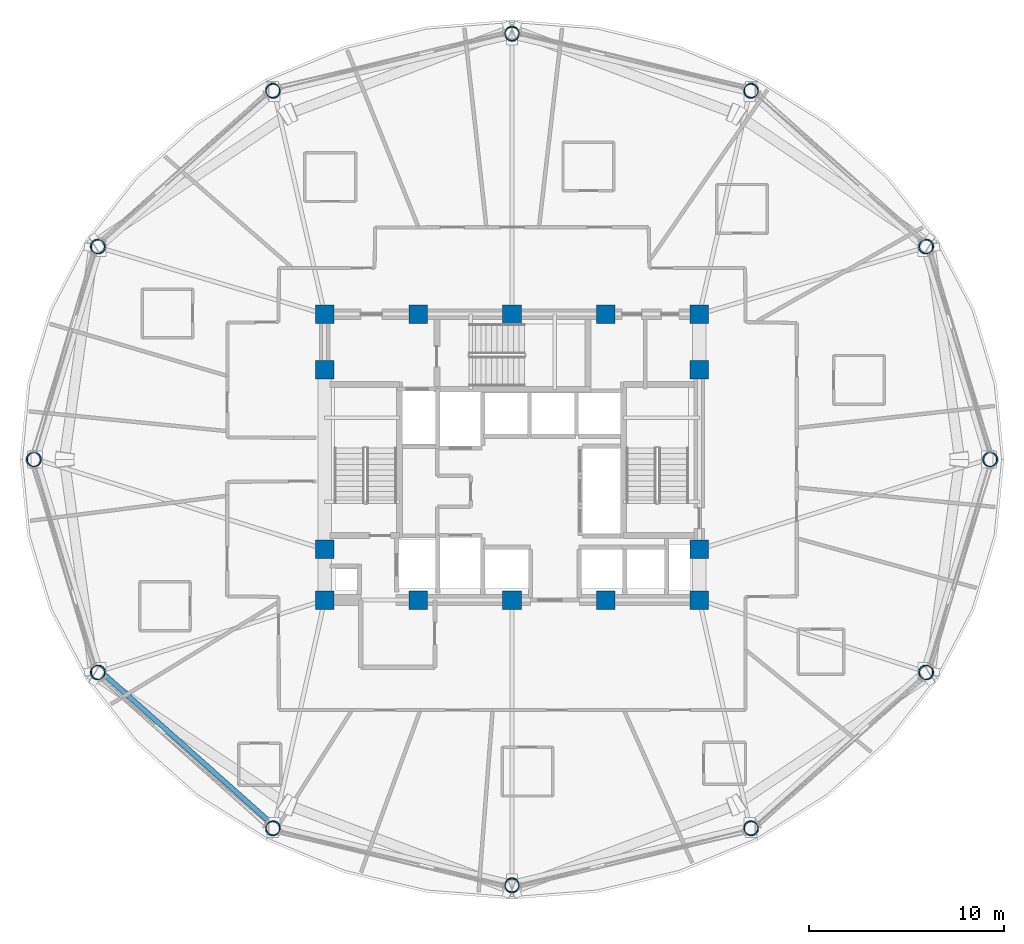
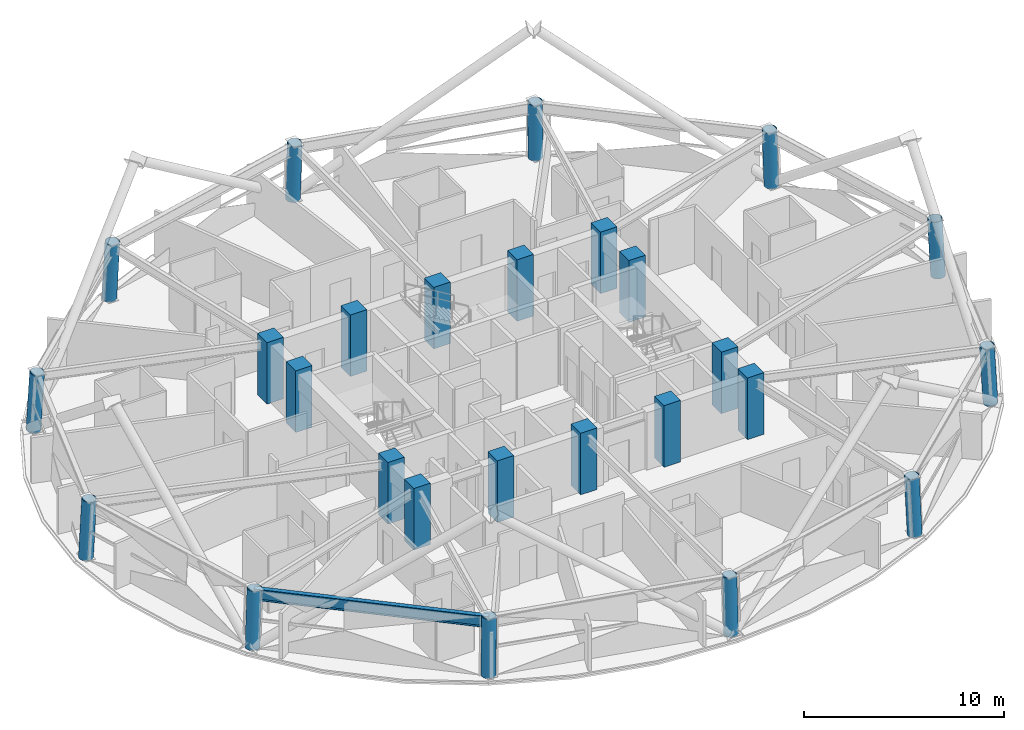
# One storey, part 1 of 13: 26 columns, 1 beam.
"""IFC4 building model written with IfcOpenShell, lengths in metres."""

from ifc_helpers import new_model, si_unit, direction, frame, origin, origin_2d, place, context, subcontext, project, spatial, rectangle, hollow_circle, i_section, extrude, material, material_profile, profile_set, type_object, element, save


model = new_model("IFC4")

# Units and contexts
model_context = context("Model", 3, precision=1e-05, world=origin(), true_north=direction((0.0, 1.0)))
body_context = subcontext(model_context, "Body", "Model", "MODEL_VIEW")
ifc_project = project(units=[si_unit("LENGTHUNIT", "METRE"), si_unit("AREAUNIT", "SQUARE_METRE"), si_unit("VOLUMEUNIT", "CUBIC_METRE"), si_unit("PLANEANGLEUNIT", "RADIAN"), si_unit("MASSUNIT", "GRAM", prefix="KILO")], contexts=[model_context])

# Site, building, storey
site_placement = place(None, origin())
site = spatial("IfcSite", under=ifc_project, at=site_placement, CompositionType="ELEMENT")
building_placement = place(site_placement, origin())
building = spatial("IfcBuilding", under=site, at=building_placement, Name="Vantalir Tower", CompositionType="ELEMENT")
storey_placement = place(building_placement, frame((0.0, 0.0, 172.199951171875)))
storey = spatial("IfcBuildingStorey", under=building, at=storey_placement, Name="L43", CompositionType="ELEMENT", Elevation=172.199951171875)

# Columns
ifc_material_1 = material(Name="Concrete C60/75", Category="concrete")
ifc_material_profile_1 = material_profile(ifc_material_1, rectangle(XDim=0.949951171875, YDim=0.949951171875, at=origin_2d()), Name="Concrete C60/75")
ifc_profile_set_1 = profile_set([ifc_material_profile_1], Name="Concrete C60/75")
column_type_1 = type_object("IfcColumnType", Name="COL-CC-950", PredefinedType="COLUMN", material=ifc_profile_set_1)
for number, where, z_axis, x_axis, name in (
    (1, (21.89990234375, 17.800048828125, 0.0), (0.0, 0.0, 1.0), (1.0, 0.0, 0.0), "L43 Core Column CC01"),
    (2, (26.699951171875, 17.800048828125, 0.0), (0.0, 0.0, 1.0), (1.0, 0.0, 0.0), "L43 Core Column CC02"),
    (3, (31.5, 17.800048828125, 0.0), (0.0, 0.0, 1.0), (1.0, 0.0, 0.0), "L43 Core Column CC03"),
    (4, (36.300048828125, 17.800048828125, 0.0), (0.0, 0.0, 1.0), (1.0, 0.0, 0.0), "L43 Core Column CC04"),
    (5, (41.10009765625, 17.800048828125, 0.0), (0.0, 0.0, 1.0), (1.0, 0.0, 0.0), "L43 Core Column CC05"),
    (6, (21.89990234375, 20.39990234375, 0.0), (0.0, 0.0, 1.0), (1.0, 0.0, 0.0), "L43 Core Column CC06"),
    (7, (21.89990234375, 29.60009765625, 0.0), (0.0, 0.0, 1.0), (1.0, 0.0, 0.0), "L43 Core Column CC07"),
    (8, (41.10009765625, 20.39990234375, 0.0), (0.0, 0.0, 1.0), (1.0, 0.0, 0.0), "L43 Core Column CC08"),
    (9, (41.10009765625, 29.60009765625, 0.0), (0.0, 0.0, 1.0), (1.0, 0.0, 0.0), "L43 Core Column CC09"),
    (10, (21.89990234375, 32.449951171875, 0.0), (0.0, 0.0, 1.0), (1.0, 0.0, 0.0), "L43 Core Column CC10"),
    (11, (26.699951171875, 32.449951171875, 0.0), (0.0, 0.0, 1.0), (1.0, 0.0, 0.0), "L43 Core Column CC11"),
    (12, (31.5, 32.449951171875, 0.0), (0.0, 0.0, 1.0), (1.0, 0.0, 0.0), "L43 Core Column CC12"),
    (13, (36.300048828125, 32.449951171875, 0.0), (0.0, 0.0, 1.0), (1.0, 0.0, 0.0), "L43 Core Column CC13"),
    (14, (41.10009765625, 32.449951171875, 0.0), (0.0, 0.0, 1.0), (1.0, 0.0, 0.0), "L43 Core Column CC14"),
):
    element("IfcColumn", number, at=place(storey_placement, frame(where, z_axis=z_axis, x_axis=x_axis)), inside=storey, type_object=column_type_1, Name=name, PredefinedType="COLUMN", context=body_context, shape_type="SweptSolid", body=[
        extrude(rectangle(XDim=0.949951171875, YDim=0.949951171875, at=origin_2d()), origin(), (0.0, 0.0, 1.0), 3.75),
    ])
ifc_material_2 = material(Name="Steel S460", Category="steel")
ifc_material_profile_2 = material_profile(ifc_material_2, hollow_circle(Radius=0.375, WallThickness=0.034912109375, at=origin_2d()), Name="Steel S460")
ifc_profile_set_2 = profile_set([ifc_material_profile_2], Name="Steel S460")
column_type_2 = type_object("IfcColumnType", Name="COL-RC-750", PredefinedType="COLUMN", material=ifc_profile_set_2)
column_1_placement = place(storey_placement, frame((56.035888671875, 25.0, 0.0), z_axis=(-0.053008515617, 0.0, 0.998594060303), x_axis=(0.0, -1.0, 0.0)))
element("IfcColumn", 15, at=column_1_placement, inside=storey, type_object=column_type_2, Name="L43 Perimeter Ring Column RC01", PredefinedType="COLUMN", context=body_context, shape_type="SweptSolid", body=[
    extrude(hollow_circle(Radius=0.375, WallThickness=0.034912109375, at=origin_2d()), origin(), (0.0, 0.0, 1.0), 3.5048828125),
])
column_2_placement = place(storey_placement, frame((52.7490234375, 35.924072265625, 0.0), z_axis=(-0.045976334235, -0.023684778242, 0.998661708473), x_axis=(0.457956589674, -0.888974556427, 0.0)))
element("IfcColumn", 16, at=column_2_placement, inside=storey, type_object=column_type_2, Name="L43 Perimeter Ring Column RC02", PredefinedType="COLUMN", context=body_context, shape_type="SweptSolid", body=[
    extrude(hollow_circle(Radius=0.375, WallThickness=0.034912109375, at=origin_2d()), origin(), (0.0, 0.0, 1.0), 3.504638671875),
])
column_3_placement = place(storey_placement, frame((43.76806640625, 43.9208984375, 0.0), z_axis=(-0.0265446917, -0.041036281919, 0.998804987427), x_axis=(0.839646641546, -0.543133056756, 0.0)))
element("IfcColumn", 17, at=column_3_placement, inside=storey, type_object=column_type_2, Name="L43 Perimeter Ring Column RC03", PredefinedType="COLUMN", context=body_context, shape_type="SweptSolid", body=[
    extrude(hollow_circle(Radius=0.375, WallThickness=0.034912109375, at=origin_2d()), origin(), (0.0, 0.0, 1.0), 3.504150390625),
])
column_4_placement = place(storey_placement, frame((31.5, 46.847900390625, 0.0), z_axis=(0.0, -0.047379765961, 0.998876948266), x_axis=(1.0, 0.0, 0.0)))
element("IfcColumn", 18, at=column_4_placement, inside=storey, type_object=column_type_2, Name="L43 Perimeter Ring Column RC04", PredefinedType="COLUMN", context=body_context, shape_type="SweptSolid", body=[
    extrude(hollow_circle(Radius=0.375, WallThickness=0.034912109375, at=origin_2d()), origin(), (0.0, 0.0, 1.0), 3.50390625),
])
column_5_placement = place(storey_placement, frame((19.23193359375, 43.9208984375, 0.0), z_axis=(0.0265446917, -0.041036281919, 0.998804987427), x_axis=(0.839646641546, 0.543133056756, 0.0)))
element("IfcColumn", 19, at=column_5_placement, inside=storey, type_object=column_type_2, Name="L43 Perimeter Ring Column RC05", PredefinedType="COLUMN", context=body_context, shape_type="SweptSolid", body=[
    extrude(hollow_circle(Radius=0.375, WallThickness=0.034912109375, at=origin_2d()), origin(), (0.0, 0.0, 1.0), 3.504150390625),
])
column_6_placement = place(storey_placement, frame((10.2509765625, 35.924072265625, 0.0), z_axis=(0.045976334235, -0.023684778242, 0.998661708473), x_axis=(0.457956589674, 0.888974556427, 0.0)))
element("IfcColumn", 20, at=column_6_placement, inside=storey, type_object=column_type_2, Name="L43 Perimeter Ring Column RC06", PredefinedType="COLUMN", context=body_context, shape_type="SweptSolid", body=[
    extrude(hollow_circle(Radius=0.375, WallThickness=0.034912109375, at=origin_2d()), origin(), (0.0, 0.0, 1.0), 3.504638671875),
])
column_7_placement = place(storey_placement, frame((6.964111328125, 25.0, 0.0), z_axis=(0.053008515617, 0.0, 0.998594060303), x_axis=(0.0, 1.0, 0.0)))
element("IfcColumn", 21, at=column_7_placement, inside=storey, type_object=column_type_2, Name="L43 Perimeter Ring Column RC07", PredefinedType="COLUMN", context=body_context, shape_type="SweptSolid", body=[
    extrude(hollow_circle(Radius=0.375, WallThickness=0.034912109375, at=origin_2d()), origin(), (0.0, 0.0, 1.0), 3.5048828125),
])
column_8_placement = place(storey_placement, frame((10.2509765625, 14.075927734375, 0.0), z_axis=(0.045976334235, 0.023684778242, 0.998661708473), x_axis=(-0.457956589674, 0.888974556427, 0.0)))
element("IfcColumn", 22, at=column_8_placement, inside=storey, type_object=column_type_2, Name="L43 Perimeter Ring Column RC08", PredefinedType="COLUMN", context=body_context, shape_type="SweptSolid", body=[
    extrude(hollow_circle(Radius=0.375, WallThickness=0.034912109375, at=origin_2d()), origin(), (0.0, 0.0, 1.0), 3.504638671875),
])
column_9_placement = place(storey_placement, frame((19.23193359375, 6.0791015625, 0.0), z_axis=(0.0265446917, 0.041036281919, 0.998804987427), x_axis=(-0.839646641546, 0.543133056756, 0.0)))
element("IfcColumn", 23, at=column_9_placement, inside=storey, type_object=column_type_2, Name="L43 Perimeter Ring Column RC09", PredefinedType="COLUMN", context=body_context, shape_type="SweptSolid", body=[
    extrude(hollow_circle(Radius=0.375, WallThickness=0.034912109375, at=origin_2d()), origin(), (0.0, 0.0, 1.0), 3.504150390625),
])
column_10_placement = place(storey_placement, frame((31.5, 3.152099609375, 0.0), z_axis=(0.0, 0.047379765961, 0.998876948266), x_axis=(-1.0, 0.0, 0.0)))
element("IfcColumn", 24, at=column_10_placement, inside=storey, type_object=column_type_2, Name="L43 Perimeter Ring Column RC10", PredefinedType="COLUMN", context=body_context, shape_type="SweptSolid", body=[
    extrude(hollow_circle(Radius=0.375, WallThickness=0.034912109375, at=origin_2d()), origin(), (0.0, 0.0, 1.0), 3.50390625),
])
column_11_placement = place(storey_placement, frame((43.76806640625, 6.0791015625, 0.0), z_axis=(-0.0265446917, 0.041036281919, 0.998804987427), x_axis=(-0.839646641546, -0.543133056756, 0.0)))
element("IfcColumn", 25, at=column_11_placement, inside=storey, type_object=column_type_2, Name="L43 Perimeter Ring Column RC11", PredefinedType="COLUMN", context=body_context, shape_type="SweptSolid", body=[
    extrude(hollow_circle(Radius=0.375, WallThickness=0.034912109375, at=origin_2d()), origin(), (0.0, 0.0, 1.0), 3.504150390625),
])
column_12_placement = place(storey_placement, frame((52.7490234375, 14.075927734375, 0.0), z_axis=(-0.045976334235, 0.023684778242, 0.998661708473), x_axis=(-0.457956589674, -0.888974556427, 0.0)))
element("IfcColumn", 26, at=column_12_placement, inside=storey, type_object=column_type_2, Name="L43 Perimeter Ring Column RC12", PredefinedType="COLUMN", context=body_context, shape_type="SweptSolid", body=[
    extrude(hollow_circle(Radius=0.375, WallThickness=0.034912109375, at=origin_2d()), origin(), (0.0, 0.0, 1.0), 3.504638671875),
])

# Beam
ifc_material_profile_3 = material_profile(ifc_material_2, i_section(OverallWidth=0.256103515625, OverallDepth=0.693115234375, WebThickness=0.014404296875, FlangeThickness=0.023681640625, at=origin_2d()), Name="Steel S460")
ifc_profile_set_3 = profile_set([ifc_material_profile_3], Name="Steel S460")
beam_type = type_object("IfcBeamType", Name="BM-RG-686x254", PredefinedType="USERDEFINED", material=ifc_profile_set_3)
beam_placement = place(storey_placement, frame((10.412109375, 14.158935546875, 3.154052734375), z_axis=(0.746846959963, -0.664995953668, 0.0), x_axis=(0.664995953668, 0.746846959963, 0.0)))
element("IfcBeam", 27, at=beam_placement, inside=storey, type_object=beam_type, Name="L43 Circumferential Ring Girder 08", ObjectType="GIRDER", PredefinedType="USERDEFINED", context=body_context, shape_type="SweptSolid", body=[
    extrude(i_section(OverallWidth=0.256103515625, OverallDepth=0.693115234375, WebThickness=0.014404296875, FlangeThickness=0.023681640625, at=origin_2d()), origin(), (0.0, 0.0, 1.0), 11.93408203125),
])

save(model, "model.ifc")
